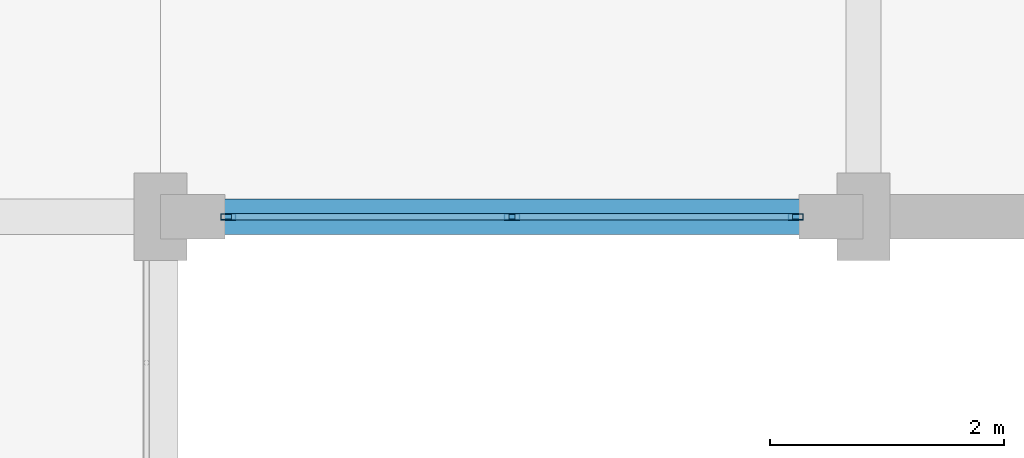
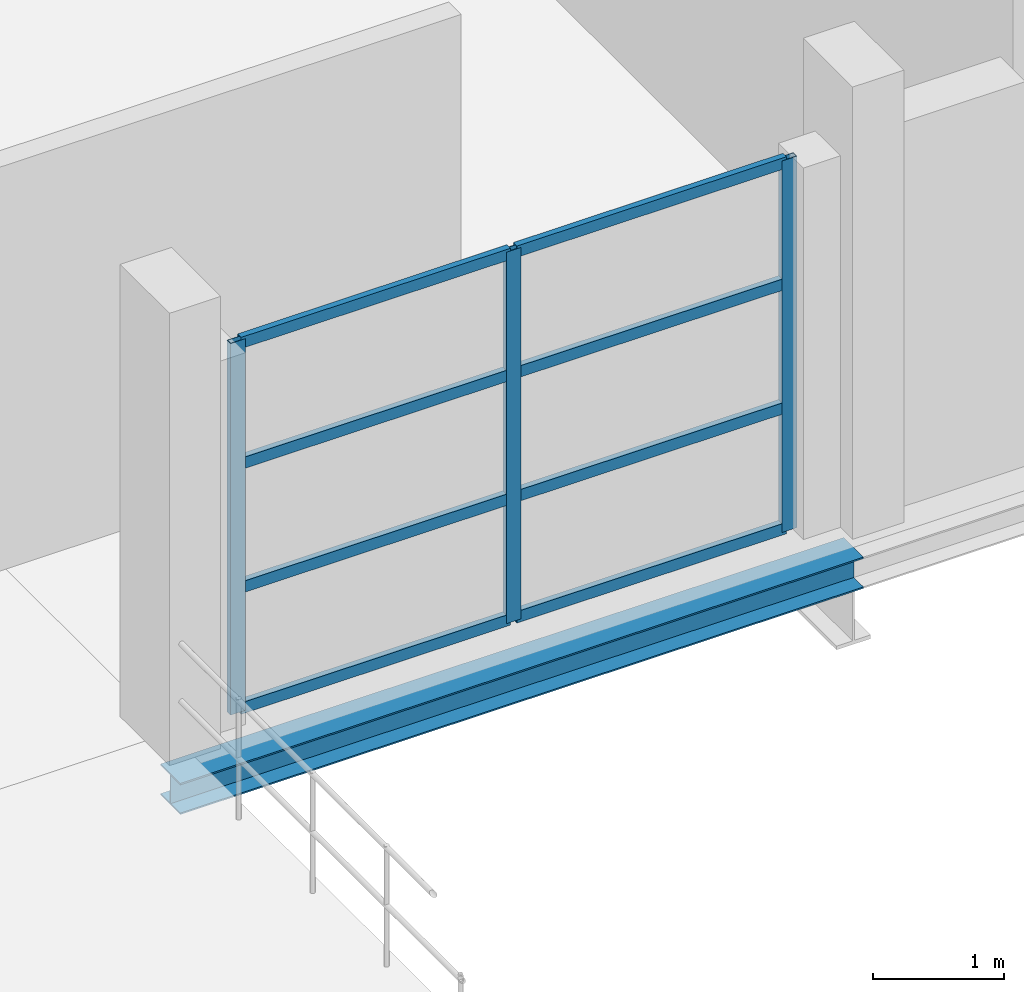
# One storey, part 66 of 147: 11 members, 1 beam, 1 element without a shape of its own.
"""IFC4 building model written with IfcOpenShell, lengths in metres."""

from ifc_helpers import new_model, si_unit, direction, frame, origin, origin_2d, place, context, subcontext, project, spatial, hollow_rectangle, i_section, extrude, material, layer, layer_set, material_profile, profile_set, type_object, element, aggregate, save


model = new_model("IFC4")

# Units and contexts
model_context = context("Model", 3, precision=1e-05, world=origin(), true_north=direction((0.0, 1.0)))
body_context = subcontext(model_context, "Body", "Model", "MODEL_VIEW")
ifc_project = project(units=[si_unit("LENGTHUNIT", "METRE"), si_unit("AREAUNIT", "SQUARE_METRE"), si_unit("VOLUMEUNIT", "CUBIC_METRE"), si_unit("PLANEANGLEUNIT", "RADIAN"), si_unit("MASSUNIT", "GRAM", prefix="KILO")], contexts=[model_context])

# Site, building, storey
site_placement = place(None, origin())
site = spatial("IfcSite", under=ifc_project, at=site_placement, CompositionType="ELEMENT")
building_placement = place(site_placement, origin())
building = spatial("IfcBuilding", under=site, at=building_placement, Name="Zilviju Railside Exhibition Hall", CompositionType="ELEMENT")
storey_placement = place(building_placement, frame((0.0, 0.0, 8.39990234375)))
storey = spatial("IfcBuildingStorey", under=building, at=storey_placement, Name="L03", CompositionType="ELEMENT", Elevation=8.39990234375)

# Beam
ifc_material_1 = material(Name="Steel S355J2", Category="steel")
ifc_material_profile_1 = material_profile(ifc_material_1, i_section(OverallWidth=0.300048828125, OverallDepth=0.2900390625, WebThickness=0.008544921875, FlangeThickness=0.013916015625, at=origin_2d()), Name="HEA 300")
ifc_profile_set_1 = profile_set([ifc_material_profile_1], Name="Steel S355J2")
beam_type = type_object("IfcBeamType", Name="BM-HEA300", PredefinedType="SPANDREL", material=ifc_profile_set_1)
beam_placement = place(storey_placement, frame((102.0, 84.0, -0.52490234375), z_axis=(1.0, 0.0, 0.0), x_axis=(0.0, 1.0, 0.0)))
element("IfcBeam", 1, at=beam_placement, inside=storey, type_object=beam_type, Name="Primary Girder L03 Y=84.0 (102.0..108.0)", PredefinedType="SPANDREL", context=body_context, shape_type="SweptSolid", body=[
    extrude(i_section(OverallWidth=0.300048828125, OverallDepth=0.2900390625, WebThickness=0.008544921875, FlangeThickness=0.013916015625, at=origin_2d()), origin(), (0.0, 0.0, 1.0), 6.0),
])

# Curtain wall, members
ifc_material_2 = material(Name="Thermally broken aluminium-steel triple-glazed curtain wall", Category="steel")
ifc_layer = layer(ifc_material_2, 0.179931640625)
ifc_layer_set = layer_set([ifc_layer], Name="Thermally broken aluminium-steel triple-glazed curtain wall")
curtain_wall_type = type_object("IfcCurtainWallType", Name="CW-BAY-18", PredefinedType="USERDEFINED", material=ifc_layer_set)
curtain_wall_placement = place(storey_placement, origin())
curtain_wall = element("IfcCurtainWall", 2, at=curtain_wall_placement, inside=storey, type_object=curtain_wall_type, Name="North Hall Garden Court Curtain Wall L03 (102..108)", ObjectType="GLAZED CURTAIN WALL", PredefinedType="USERDEFINED")
ifc_material_3 = material(Name="Thermally broken anodized aluminium mullion", Category="aluminium")
ifc_material_profile_2 = material_profile(ifc_material_3, hollow_rectangle(XDim=0.054931640625, YDim=0.1298828125, WallThickness=0.0048828125, at=origin_2d()), Name="MULLION 130x55x5")
ifc_profile_set_2 = profile_set([ifc_material_profile_2], Name="Thermally broken anodized aluminium mullion")
member_type_1 = type_object("IfcMemberType", Name="CWM-55x130", PredefinedType="MULLION", material=ifc_profile_set_2)
member_1_placement = place(storey_placement, frame((107.422607421875, 84.0, 0.0), z_axis=(0.0, 0.0, 1.0), x_axis=(0.0, -1.0, 0.0)))
member_1 = element("IfcMember", 3, at=member_1_placement, type_object=member_type_1, Name="CW-18 mullion 1", PredefinedType="MULLION", context=body_context, shape_type="SweptSolid", body=[
    extrude(hollow_rectangle(XDim=0.054931640625, YDim=0.1298828125, WallThickness=0.0048828125, at=origin_2d()), origin(), (0.0, 0.0, 1.0), 3.4501953125),
])
member_2_placement = place(storey_placement, frame((105.0, 84.0, 0.0), z_axis=(0.0, 0.0, 1.0), x_axis=(0.0, -1.0, 0.0)))
member_2 = element("IfcMember", 4, at=member_2_placement, type_object=member_type_1, Name="CW-18 mullion 2", PredefinedType="MULLION", context=body_context, shape_type="SweptSolid", body=[
    extrude(hollow_rectangle(XDim=0.054931640625, YDim=0.1298828125, WallThickness=0.0048828125, at=origin_2d()), origin(), (0.0, 0.0, 1.0), 3.4501953125),
])
member_3_placement = place(storey_placement, frame((102.577392578125, 84.0, 0.0), z_axis=(0.0, 0.0, 1.0), x_axis=(0.0, -1.0, 0.0)))
member_3 = element("IfcMember", 5, at=member_3_placement, type_object=member_type_1, Name="CW-18 mullion 3", PredefinedType="MULLION", context=body_context, shape_type="SweptSolid", body=[
    extrude(hollow_rectangle(XDim=0.054931640625, YDim=0.1298828125, WallThickness=0.0048828125, at=origin_2d()), origin(), (0.0, 0.0, 1.0), 3.4501953125),
])
ifc_material_4 = material(Name="Thermally broken anodized aluminium transom", Category="aluminium")
ifc_material_profile_3 = material_profile(ifc_material_4, hollow_rectangle(XDim=0.054931640625, YDim=0.10498046875, WallThickness=0.0048828125, at=origin_2d()), Name="TRANSOM 105x55x5")
ifc_profile_set_3 = profile_set([ifc_material_profile_3], Name="Thermally broken anodized aluminium transom")
member_type_2 = type_object("IfcMemberType", Name="CWT-55x105", PredefinedType="USERDEFINED", material=ifc_profile_set_3)
member_4_placement = place(storey_placement, frame((107.39501953125, 84.0, 0.027587890625), z_axis=(-1.0, 0.0, 0.0), x_axis=(0.0, -1.0, 0.0)))
member_4 = element("IfcMember", 6, at=member_4_placement, type_object=member_type_2, Name="CW-18 transom 1.1", ObjectType="TRANSOM", PredefinedType="USERDEFINED", context=body_context, shape_type="SweptSolid", body=[
    extrude(hollow_rectangle(XDim=0.054931640625, YDim=0.10498046875, WallThickness=0.0048828125, at=origin_2d()), origin(), (0.0, 0.0, 1.0), 2.367431640625),
])
member_5_placement = place(storey_placement, frame((107.39501953125, 84.0, 1.150146484375), z_axis=(-1.0, 0.0, 0.0), x_axis=(0.0, -1.0, 0.0)))
member_5 = element("IfcMember", 7, at=member_5_placement, type_object=member_type_2, Name="CW-18 transom 1.2", ObjectType="TRANSOM", PredefinedType="USERDEFINED", context=body_context, shape_type="SweptSolid", body=[
    extrude(hollow_rectangle(XDim=0.054931640625, YDim=0.10498046875, WallThickness=0.0048828125, at=origin_2d()), origin(), (0.0, 0.0, 1.0), 2.367431640625),
])
member_6_placement = place(storey_placement, frame((107.39501953125, 84.0, 2.300048828125), z_axis=(-1.0, 0.0, 0.0), x_axis=(0.0, -1.0, 0.0)))
member_6 = element("IfcMember", 8, at=member_6_placement, type_object=member_type_2, Name="CW-18 transom 1.3", ObjectType="TRANSOM", PredefinedType="USERDEFINED", context=body_context, shape_type="SweptSolid", body=[
    extrude(hollow_rectangle(XDim=0.054931640625, YDim=0.10498046875, WallThickness=0.0048828125, at=origin_2d()), origin(), (0.0, 0.0, 1.0), 2.367431640625),
])
member_7_placement = place(storey_placement, frame((107.39501953125, 84.0, 3.422607421875), z_axis=(-1.0, 0.0, 0.0), x_axis=(0.0, -1.0, 0.0)))
member_7 = element("IfcMember", 9, at=member_7_placement, type_object=member_type_2, Name="CW-18 transom 1.4", ObjectType="TRANSOM", PredefinedType="USERDEFINED", context=body_context, shape_type="SweptSolid", body=[
    extrude(hollow_rectangle(XDim=0.054931640625, YDim=0.10498046875, WallThickness=0.0048828125, at=origin_2d()), origin(), (0.0, 0.0, 1.0), 2.367431640625),
])
member_8_placement = place(storey_placement, frame((104.972412109375, 84.0, 0.027587890625), z_axis=(-1.0, 0.0, 0.0), x_axis=(0.0, -1.0, 0.0)))
member_8 = element("IfcMember", 10, at=member_8_placement, type_object=member_type_2, Name="CW-18 transom 2.1", ObjectType="TRANSOM", PredefinedType="USERDEFINED", context=body_context, shape_type="SweptSolid", body=[
    extrude(hollow_rectangle(XDim=0.054931640625, YDim=0.10498046875, WallThickness=0.0048828125, at=origin_2d()), origin(), (0.0, 0.0, 1.0), 2.367431640625),
])
member_9_placement = place(storey_placement, frame((104.972412109375, 84.0, 1.150146484375), z_axis=(-1.0, 0.0, 0.0), x_axis=(0.0, -1.0, 0.0)))
member_9 = element("IfcMember", 11, at=member_9_placement, type_object=member_type_2, Name="CW-18 transom 2.2", ObjectType="TRANSOM", PredefinedType="USERDEFINED", context=body_context, shape_type="SweptSolid", body=[
    extrude(hollow_rectangle(XDim=0.054931640625, YDim=0.10498046875, WallThickness=0.0048828125, at=origin_2d()), origin(), (0.0, 0.0, 1.0), 2.367431640625),
])
member_10_placement = place(storey_placement, frame((104.972412109375, 84.0, 2.300048828125), z_axis=(-1.0, 0.0, 0.0), x_axis=(0.0, -1.0, 0.0)))
member_10 = element("IfcMember", 12, at=member_10_placement, type_object=member_type_2, Name="CW-18 transom 2.3", ObjectType="TRANSOM", PredefinedType="USERDEFINED", context=body_context, shape_type="SweptSolid", body=[
    extrude(hollow_rectangle(XDim=0.054931640625, YDim=0.10498046875, WallThickness=0.0048828125, at=origin_2d()), origin(), (0.0, 0.0, 1.0), 2.367431640625),
])
member_11_placement = place(storey_placement, frame((104.972412109375, 84.0, 3.422607421875), z_axis=(-1.0, 0.0, 0.0), x_axis=(0.0, -1.0, 0.0)))
member_11 = element("IfcMember", 13, at=member_11_placement, type_object=member_type_2, Name="CW-18 transom 2.4", ObjectType="TRANSOM", PredefinedType="USERDEFINED", context=body_context, shape_type="SweptSolid", body=[
    extrude(hollow_rectangle(XDim=0.054931640625, YDim=0.10498046875, WallThickness=0.0048828125, at=origin_2d()), origin(), (0.0, 0.0, 1.0), 2.367431640625),
])
aggregate(curtain_wall, [member_1, member_2, member_3, member_4, member_5, member_6, member_7, member_8, member_9, member_10, member_11])

save(model, "model.ifc")
